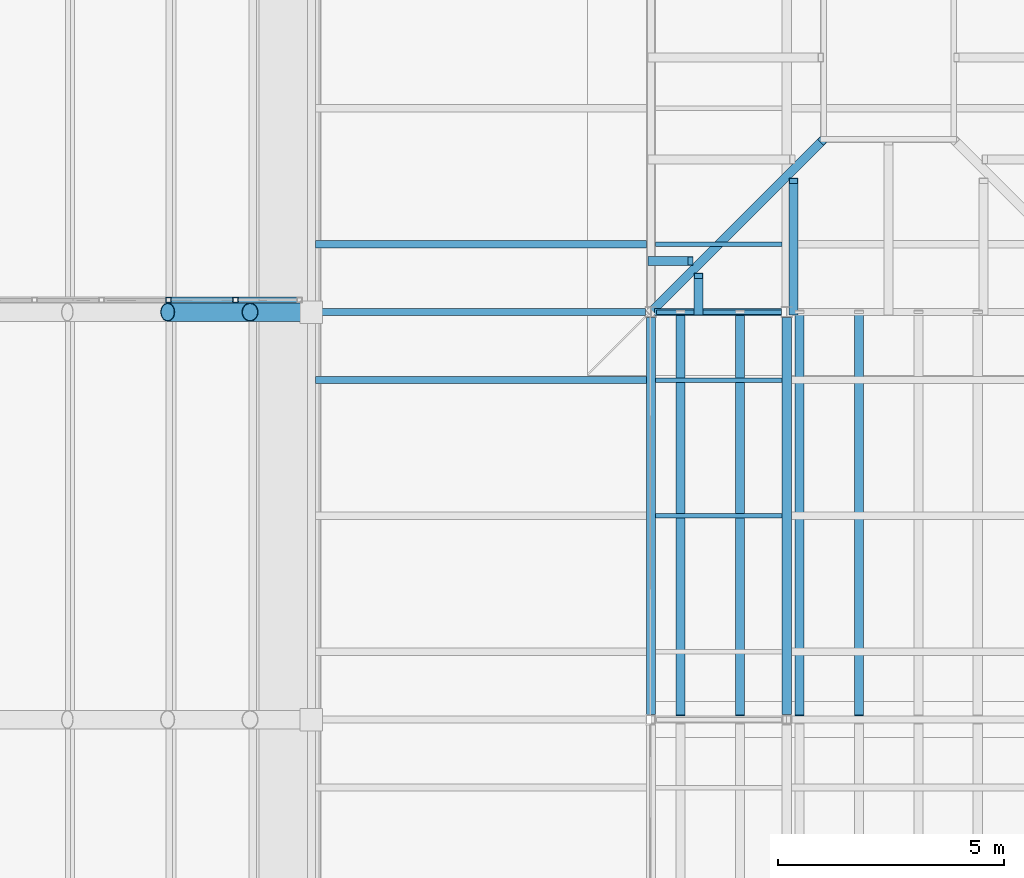
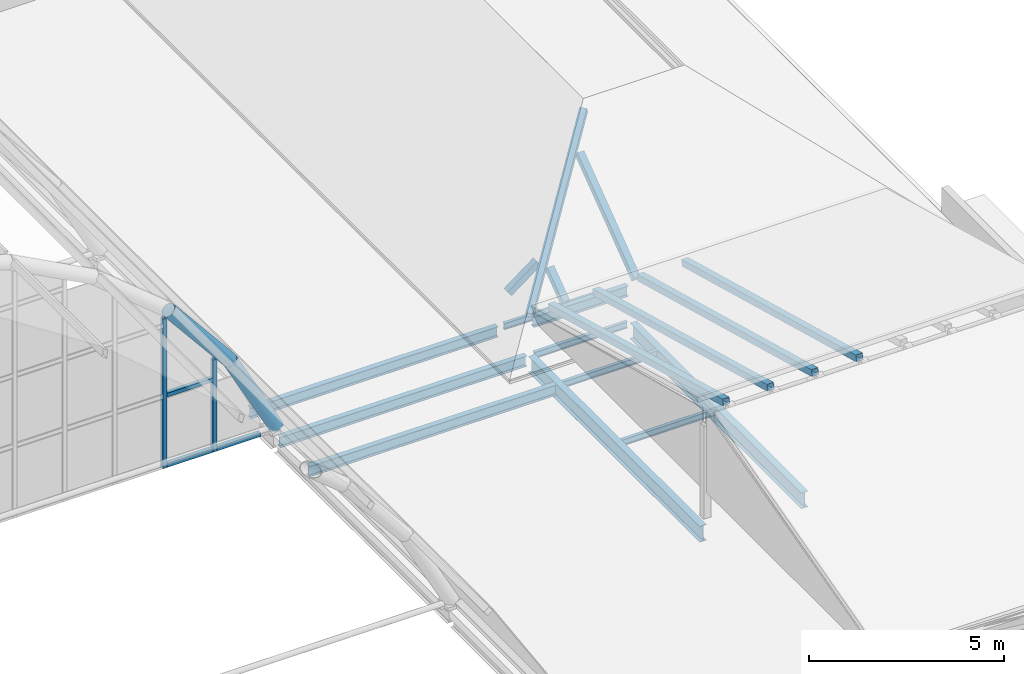
# One storey, part 45 of 121: 15 members, 10 beams, 1 element without a shape of its own.
"""IFC4 building model written with IfcOpenShell, lengths in metres."""

from ifc_helpers import new_model, si_unit, direction, frame, origin, origin_2d, place, context, subcontext, project, spatial, hollow_rectangle, hollow_circle, i_section, extrude, material, material_profile, profile_set, type_object, element, aggregate, save


model = new_model("IFC4")

# Units and contexts
model_context = context("Model", 3, precision=1e-05, world=origin(), true_north=direction((0.0, 1.0)))
body_context = subcontext(model_context, "Body", "Model", "MODEL_VIEW")
ifc_project = project(units=[si_unit("LENGTHUNIT", "METRE"), si_unit("AREAUNIT", "SQUARE_METRE"), si_unit("VOLUMEUNIT", "CUBIC_METRE"), si_unit("PLANEANGLEUNIT", "RADIAN"), si_unit("MASSUNIT", "GRAM", prefix="KILO")], contexts=[model_context])

# Site, building, storey
site_placement = place(None, origin())
site = spatial("IfcSite", under=ifc_project, at=site_placement, CompositionType="ELEMENT")
building_placement = place(site_placement, origin())
building = spatial("IfcBuilding", under=site, at=building_placement, Name="Golden Quay Civic Hall", CompositionType="ELEMENT")
storey_placement = place(building_placement, frame((0.0, 0.0, 18.60009765625)))
storey = spatial("IfcBuildingStorey", under=building, at=storey_placement, Name="L04", CompositionType="ELEMENT", Elevation=18.60009765625)

# Curtain wall, members
ifc_material_1 = material(Name="Fire-resisting glass and steel", Category="steel")
curtain_wall_type = type_object("IfcCurtainWallType", Name="Fire-resisting glazed curtain wall EI 120", PredefinedType="NOTDEFINED", material=ifc_material_1)
curtain_wall_placement = place(storey_placement, origin())
curtain_wall = element("IfcCurtainWall", 1, at=curtain_wall_placement, inside=storey, type_object=curtain_wall_type, Name="Curtain wall tympanum fire2", PredefinedType="NOTDEFINED")
ifc_material_2 = material(Name="Steel S355", Category="steel")
ifc_material_profile_1 = material_profile(ifc_material_2, hollow_rectangle(XDim=0.1201171875, YDim=0.1201171875, WallThickness=0.008056640625, at=origin_2d()), Name="SHS 120x120x8")
ifc_profile_set_1 = profile_set([ifc_material_profile_1], Name="Steel S355")
member_type_1 = type_object("IfcMemberType", Name="Fire-resisting steel mullion SHS 120x120x8", PredefinedType="MULLION", material=ifc_profile_set_1)
member_1_placement = place(storey_placement, frame((95.844482421875, 36.27001953125, -0.25), z_axis=(0.0, 0.0, 1.0), x_axis=(0.0, 1.0, 0.0)))
member_1 = element("IfcMember", 2, at=member_1_placement, type_object=member_type_1, Name="Tympanum mullion 17", PredefinedType="MULLION", context=body_context, shape_type="SweptSolid", body=[
    extrude(hollow_rectangle(XDim=0.1201171875, YDim=0.1201171875, WallThickness=0.008056640625, at=origin_2d()), origin(), (0.0, 0.0, 1.0), 4.6669921875),
])
member_2_placement = place(storey_placement, frame((97.322265625, 36.27001953125, -0.25), z_axis=(0.0, 0.0, 1.0), x_axis=(0.0, 1.0, 0.0)))
member_2 = element("IfcMember", 3, at=member_2_placement, type_object=member_type_1, Name="Tympanum mullion 18", PredefinedType="MULLION", context=body_context, shape_type="SweptSolid", body=[
    extrude(hollow_rectangle(XDim=0.1201171875, YDim=0.1201171875, WallThickness=0.008056640625, at=origin_2d()), origin(), (0.0, 0.0, 1.0), 2.8720703125),
])
ifc_material_3 = material(Name="Steel S355", Category="steel")
ifc_material_profile_2 = material_profile(ifc_material_3, hollow_rectangle(XDim=0.1201171875, YDim=0.1201171875, WallThickness=0.008056640625, at=origin_2d()), Name="SHS 120x120x8")
ifc_profile_set_2 = profile_set([ifc_material_profile_2], Name="Steel S355")
member_type_2 = type_object("IfcMemberType", Name="Fire-resisting steel transom SHS 120x120x8", PredefinedType="USERDEFINED", material=ifc_profile_set_2)
member_3_placement = place(storey_placement, frame((95.904541015625, 36.27001953125, -0.190185546875), z_axis=(1.0, 0.0, 0.0), x_axis=(0.0, 1.0, 0.0)))
member_3 = element("IfcMember", 4, at=member_3_placement, type_object=member_type_2, Name="Tympanum transom 17.1", ObjectType="TRANSOM", PredefinedType="USERDEFINED", context=body_context, shape_type="SweptSolid", body=[
    extrude(hollow_rectangle(XDim=0.1201171875, YDim=0.1201171875, WallThickness=0.008056640625, at=origin_2d()), origin(), (0.0, 0.0, 1.0), 1.357666015625),
])
member_4_placement = place(storey_placement, frame((95.904541015625, 36.27001953125, 2.010009765625), z_axis=(1.0, 0.0, 0.0), x_axis=(0.0, 1.0, 0.0)))
member_4 = element("IfcMember", 5, at=member_4_placement, type_object=member_type_2, Name="Tympanum transom 17.2", ObjectType="TRANSOM", PredefinedType="USERDEFINED", context=body_context, shape_type="SweptSolid", body=[
    extrude(hollow_rectangle(XDim=0.1201171875, YDim=0.1201171875, WallThickness=0.008056640625, at=origin_2d()), origin(), (0.0, 0.0, 1.0), 1.357666015625),
])
member_5_placement = place(storey_placement, frame((97.38232421875, 36.27001953125, -0.190185546875), z_axis=(1.0, 0.0, 0.0), x_axis=(0.0, 1.0, 0.0)))
member_5 = element("IfcMember", 6, at=member_5_placement, type_object=member_type_2, Name="Tympanum transom 18.1", ObjectType="TRANSOM", PredefinedType="USERDEFINED", context=body_context, shape_type="SweptSolid", body=[
    extrude(hollow_rectangle(XDim=0.1201171875, YDim=0.1201171875, WallThickness=0.008056640625, at=origin_2d()), origin(), (0.0, 0.0, 1.0), 1.297607421875),
])
aggregate(curtain_wall, [member_1, member_2, member_3, member_4, member_5])

# Members
ifc_material_4 = material(Name="Steel S355", Category="steel")
ifc_material_profile_3 = material_profile(ifc_material_4, hollow_circle(Radius=0.203125, WallThickness=0.01611328125, at=origin_2d()), Name="CHS 406.4x16")
ifc_profile_set_3 = profile_set([ifc_material_profile_3], Name="Steel S355")
member_type_3 = type_object("IfcMemberType", Name="Steel arch rib CHS 406.4x16", PredefinedType="USERDEFINED", material=ifc_profile_set_3)
for number, where, z_axis, x_axis, name in (
    (7, (95.826904296875, 36.0, 4.830810546875), (0.635608575128, 0.0, -0.772011489049), (0.0, 1.0, 0.0), "Arch rib 5 segment 11"),
    (8, (97.64599609375, 36.0, 2.621337890625), (0.473092307375, 0.0, -0.881012865231), (0.0, 1.0, 0.0), "Arch rib 5 segment 12"),
):
    element("IfcMember", number, at=place(storey_placement, frame(where, z_axis=z_axis, x_axis=x_axis)), inside=storey, type_object=member_type_3, Name=name, ObjectType="ARCH RIB", PredefinedType="USERDEFINED", context=body_context, shape_type="SweptSolid", body=[
        extrude(hollow_circle(Radius=0.203125, WallThickness=0.01611328125, at=origin_2d()), origin(), (0.0, 0.0, 1.0), 2.862060546875),
    ])

# Beams
ifc_material_5 = material(Name="Steel S355", Category="steel")
ifc_material_profile_4 = material_profile(ifc_material_5, i_section(OverallWidth=0.10009765625, OverallDepth=0.199951171875, WebThickness=0.005615234375, FlangeThickness=0.008544921875, FilletRadius=0.011962890625, at=origin_2d()), Name="IPE 200")
ifc_profile_set_4 = profile_set([ifc_material_profile_4], Name="Steel S355")
beam_type_1 = type_object("IfcBeamType", Name="Steel beam IPE 200", PredefinedType="BEAM", material=ifc_profile_set_4)
beam_1_placement = place(storey_placement, frame((106.6201171875, 36.0, -0.35009765625), z_axis=(1.0, 0.0, 0.0), x_axis=(0.0, 1.0, 0.0)))
element("IfcBeam", 9, at=beam_1_placement, inside=storey, type_object=beam_type_1, Name="Beam S36-106.5", PredefinedType="BEAM", context=body_context, shape_type="SweptSolid", body=[
    extrude(i_section(OverallWidth=0.10009765625, OverallDepth=0.199951171875, WebThickness=0.005615234375, FlangeThickness=0.008544921875, FilletRadius=0.011962890625, at=origin_2d()), origin(), (0.0, 0.0, 1.0), 2.759765625),
])
ifc_material_6 = material(Name="Steel S355", Category="steel")
ifc_material_profile_5 = material_profile(ifc_material_6, i_section(OverallWidth=0.159912109375, OverallDepth=0.330078125, WebThickness=0.007568359375, FlangeThickness=0.011474609375, FilletRadius=0.01806640625, at=origin_2d()), Name="IPE 330")
ifc_profile_set_5 = profile_set([ifc_material_profile_5], Name="Steel S355")
beam_type_2 = type_object("IfcBeamType", Name="Steel beam IPE 330", PredefinedType="BEAM", material=ifc_profile_set_5)
beam_2_placement = place(storey_placement, frame((99.10009765625, 36.0, -0.4150390625), z_axis=(1.0, 0.0, 0.0), x_axis=(0.0, 1.0, 0.0)))
element("IfcBeam", 10, at=beam_2_placement, inside=storey, type_object=beam_type_2, Name="Beam S36-99", PredefinedType="BEAM", context=body_context, shape_type="SweptSolid", body=[
    extrude(i_section(OverallWidth=0.159912109375, OverallDepth=0.330078125, WebThickness=0.007568359375, FlangeThickness=0.011474609375, FilletRadius=0.01806640625, at=origin_2d()), origin(), (0.0, 0.0, 1.0), 7.27978515625),
])
ifc_material_7 = material(Name="Steel S355", Category="steel")
ifc_material_profile_6 = material_profile(ifc_material_7, i_section(OverallWidth=0.199951171875, OverallDepth=0.5, WebThickness=0.01025390625, FlangeThickness=0.01611328125, FilletRadius=0.02099609375, at=origin_2d()), Name="IPE 500")
ifc_profile_set_6 = profile_set([ifc_material_profile_6], Name="Steel S355")
beam_type_3 = type_object("IfcBeamType", Name="Steel beam IPE 500", PredefinedType="BEAM", material=ifc_profile_set_6)
for number, where, z_axis, x_axis, name in (
    (11, (106.5, 27.114990234375, -0.5), (0.0, 1.0, 0.0), (-1.0, 0.0, 0.0), "Beam L106.5-27"),
    (12, (109.5, 27.114990234375, -0.5), (0.0, 1.0, 0.0), (-1.0, 0.0, 0.0), "Beam L109.5-27"),
):
    element("IfcBeam", number, at=place(storey_placement, frame(where, z_axis=z_axis, x_axis=x_axis)), inside=storey, type_object=beam_type_3, Name=name, PredefinedType="BEAM", context=body_context, shape_type="SweptSolid", body=[
        extrude(i_section(OverallWidth=0.199951171875, OverallDepth=0.5, WebThickness=0.01025390625, FlangeThickness=0.01611328125, FilletRadius=0.02099609375, at=origin_2d()), origin(), (0.0, 0.0, 1.0), 8.77001953125),
    ])

# Members
ifc_material_8 = material(Name="Steel S355", Category="steel")
ifc_material_profile_7 = material_profile(ifc_material_8, hollow_rectangle(XDim=0.199951171875, YDim=0.199951171875, WallThickness=0.010009765625, at=origin_2d()), Name="SHS 200x200x10")
ifc_profile_set_7 = profile_set([ifc_material_profile_7], Name="Steel S355")
member_type_4 = type_object("IfcMemberType", Name="Steel jack rafter SHS 200x200x10", PredefinedType="RAFTER", material=ifc_profile_set_7)
member_6_placement = place(storey_placement, frame((107.550048828125, 36.0, 0.96484375), z_axis=(0.0, 0.799970705032, 0.600039057971), x_axis=(-1.0, 0.0, 0.0)))
element("IfcMember", 13, at=member_6_placement, inside=storey, type_object=member_type_4, Name="Jack rafter EM-N south 1", PredefinedType="RAFTER", context=body_context, shape_type="SweptSolid", body=[
    extrude(hollow_rectangle(XDim=0.199951171875, YDim=0.199951171875, WallThickness=0.010009765625, at=origin_2d()), origin(), (0.0, 0.0, 1.0), 1.0),
])
member_7_placement = place(storey_placement, frame((109.64990234375, 36.0, 0.96484375), z_axis=(0.0, 0.799983835699, 0.600021551797), x_axis=(-1.0, 0.0, 0.0)))
element("IfcMember", 14, at=member_7_placement, inside=storey, type_object=member_type_4, Name="Jack rafter EM-N south 2", PredefinedType="RAFTER", context=body_context, shape_type="SweptSolid", body=[
    extrude(hollow_rectangle(XDim=0.199951171875, YDim=0.199951171875, WallThickness=0.010009765625, at=origin_2d()), origin(), (0.0, 0.0, 1.0), 3.625),
])
member_8_placement = place(storey_placement, frame((106.5, 37.125, 0.96484375), z_axis=(0.8, 0.0, 0.6), x_axis=(0.0, 1.0, 0.0)))
element("IfcMember", 15, at=member_8_placement, inside=storey, type_object=member_type_4, Name="Jack rafter EM-N west 1", PredefinedType="RAFTER", context=body_context, shape_type="SweptSolid", body=[
    extrude(hollow_rectangle(XDim=0.199951171875, YDim=0.199951171875, WallThickness=0.010009765625, at=origin_2d()), origin(), (0.0, 0.0, 1.0), 1.09375),
])
for number, where, z_axis, x_axis, name in (
    (16, (107.15625, 36.0, 0.988525390625), (0.0, -0.965021507217, 0.262170727977), (1.0, 0.0, 0.0), "Gable rafter north 1"),
    (17, (108.46875, 36.0, 0.988525390625), (0.0, -0.965021507217, 0.262170727977), (1.0, 0.0, 0.0), "Gable rafter north 2"),
    (18, (109.78125, 36.0, 0.988525390625), (0.0, -0.965021507217, 0.262170727977), (1.0, 0.0, 0.0), "Gable rafter north 3"),
    (19, (111.09375, 36.0, 0.988525390625), (0.0, -0.965021507217, 0.262170727977), (1.0, 0.0, 0.0), "Gable rafter north 4"),
):
    element("IfcMember", number, at=place(storey_placement, frame(where, z_axis=z_axis, x_axis=x_axis)), inside=storey, type_object=member_type_4, Name=name, PredefinedType="RAFTER", context=body_context, shape_type="SweptSolid", body=[
        extrude(hollow_rectangle(XDim=0.199951171875, YDim=0.199951171875, WallThickness=0.010009765625, at=origin_2d()), origin(), (0.0, 0.0, 1.0), 9.253662109375),
    ])

# Beams
ifc_material_9 = material(Name="Steel S355", Category="steel")
ifc_material_profile_8 = material_profile(ifc_material_9, i_section(OverallWidth=0.10009765625, OverallDepth=0.199951171875, WebThickness=0.005615234375, FlangeThickness=0.008544921875, FilletRadius=0.011962890625, at=origin_2d()), Name="IPE 200")
ifc_profile_set_8 = profile_set([ifc_material_profile_8], Name="Steel S355")
beam_type_4 = type_object("IfcBeamType", Name="Steel joist IPE 200", PredefinedType="JOIST", material=ifc_profile_set_8)
for number, where, z_axis, x_axis, name in (
    (20, (106.60009765625, 31.5, -0.35009765625), (1.0, 0.0, 0.0), (0.0, 1.0, 0.0), "Joist J31.5-106.5"),
    (21, (106.60009765625, 34.5, -0.35009765625), (1.0, 0.0, 0.0), (0.0, 1.0, 0.0), "Joist J34.5-106.5"),
    (22, (106.60009765625, 37.5, -0.35009765625), (1.0, 0.0, 0.0), (0.0, 1.0, 0.0), "Joist J37.5-106.5"),
):
    element("IfcBeam", number, at=place(storey_placement, frame(where, z_axis=z_axis, x_axis=x_axis)), inside=storey, type_object=beam_type_4, Name=name, PredefinedType="JOIST", context=body_context, shape_type="SweptSolid", body=[
        extrude(i_section(OverallWidth=0.10009765625, OverallDepth=0.199951171875, WebThickness=0.005615234375, FlangeThickness=0.008544921875, FilletRadius=0.011962890625, at=origin_2d()), origin(), (0.0, 0.0, 1.0), 2.7998046875),
    ])
ifc_material_10 = material(Name="Steel S355", Category="steel")
ifc_material_profile_9 = material_profile(ifc_material_10, i_section(OverallWidth=0.159912109375, OverallDepth=0.330078125, WebThickness=0.007568359375, FlangeThickness=0.011474609375, FilletRadius=0.01806640625, at=origin_2d()), Name="IPE 330")
ifc_profile_set_9 = profile_set([ifc_material_profile_9], Name="Steel S355")
beam_type_5 = type_object("IfcBeamType", Name="Steel joist IPE 330", PredefinedType="JOIST", material=ifc_profile_set_9)
for number, where, z_axis, x_axis, name in (
    (23, (99.090087890625, 34.5, -0.4150390625), (1.0, 0.0, 0.0), (0.0, 1.0, 0.0), "Joist J34.5-99"),
    (24, (99.090087890625, 37.5, -0.4150390625), (1.0, 0.0, 0.0), (0.0, 1.0, 0.0), "Joist J37.5-99"),
):
    element("IfcBeam", number, at=place(storey_placement, frame(where, z_axis=z_axis, x_axis=x_axis)), inside=storey, type_object=beam_type_5, Name=name, PredefinedType="JOIST", context=body_context, shape_type="SweptSolid", body=[
        extrude(i_section(OverallWidth=0.159912109375, OverallDepth=0.330078125, WebThickness=0.007568359375, FlangeThickness=0.011474609375, FilletRadius=0.01806640625, at=origin_2d()), origin(), (0.0, 0.0, 1.0), 7.309814453125),
    ])

# Member
ifc_material_11 = material(Name="Steel S355", Category="steel")
ifc_material_profile_10 = material_profile(ifc_material_11, hollow_rectangle(XDim=0.199951171875, YDim=0.199951171875, WallThickness=0.010009765625, at=origin_2d()), Name="SHS 200x200x10")
ifc_profile_set_10 = profile_set([ifc_material_profile_10], Name="Steel S355")
member_type_5 = type_object("IfcMemberType", Name="Steel pavilion hip rafter SHS 200x200x10", PredefinedType="RAFTER", material=ifc_profile_set_10)
member_9_placement = place(storey_placement, frame((106.5, 36.0, 0.92822265625), z_axis=(0.625782928891, 0.625782928891, 0.465608689584), x_axis=(-0.707106781187, 0.707106781187, 0.0)))
element("IfcMember", 25, at=member_9_placement, inside=storey, type_object=member_type_5, Name="Hip rafter EM-N south-west", PredefinedType="RAFTER", context=body_context, shape_type="SweptSolid", body=[
    extrude(hollow_rectangle(XDim=0.199951171875, YDim=0.199951171875, WallThickness=0.010009765625, at=origin_2d()), origin(), (0.0, 0.0, 1.0), 6.04052734375),
])

# Beam
ifc_material_12 = material(Name="Steel S355", Category="steel")
ifc_material_profile_11 = material_profile(ifc_material_12, i_section(OverallWidth=0.159912109375, OverallDepth=0.330078125, WebThickness=0.007568359375, FlangeThickness=0.011474609375, FilletRadius=0.01806640625, at=origin_2d()), Name="IPE 330")
ifc_profile_set_11 = profile_set([ifc_material_profile_11], Name="Steel S355")
beam_type_6 = type_object("IfcBeamType", Name="Steel wall plate beam IPE 330", PredefinedType="BEAM", material=ifc_profile_set_11)
beam_3_placement = place(storey_placement, frame((106.580078125, 36.0, 0.719970703125), z_axis=(1.0, 0.0, 0.0), x_axis=(0.0, 1.0, 0.0)))
element("IfcBeam", 26, at=beam_3_placement, inside=storey, type_object=beam_type_6, Name="Wall plate beam EM-N S1", PredefinedType="BEAM", context=body_context, shape_type="SweptSolid", body=[
    extrude(i_section(OverallWidth=0.159912109375, OverallDepth=0.330078125, WebThickness=0.007568359375, FlangeThickness=0.011474609375, FilletRadius=0.01806640625, at=origin_2d()), origin(), (0.0, 0.0, 1.0), 2.7998046875),
])

save(model, "model.ifc")
